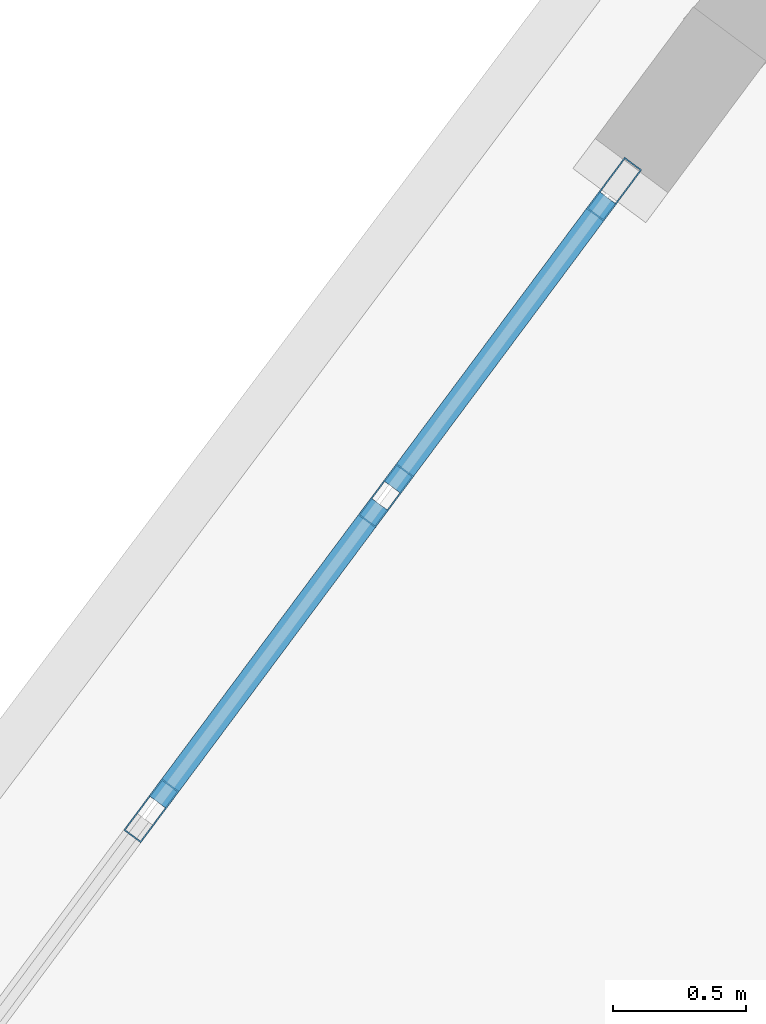
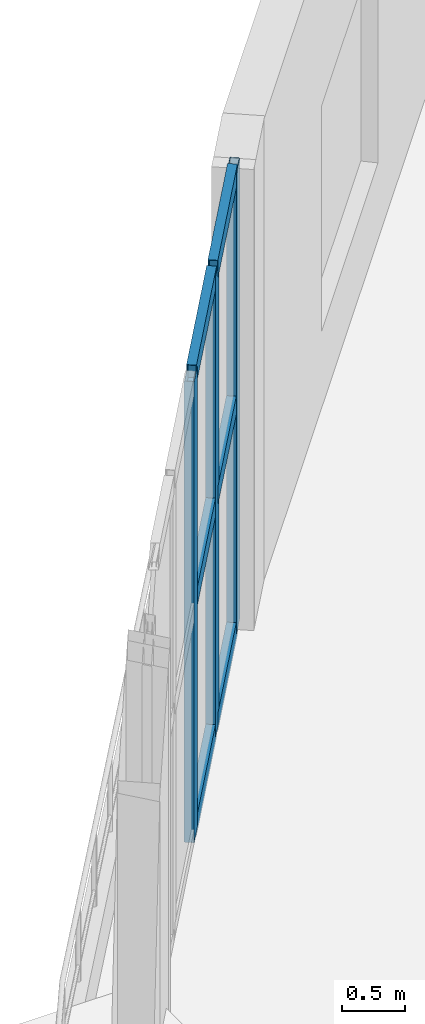
# One storey, part 12 of 25: 9 members, 1 element without a shape of its own.
"""IFC4 building model written with IfcOpenShell, lengths in metres."""

import ifcopenshell
import ifcopenshell.guid

model = None  # the IFC model being written
_history = None  # IfcOwnerHistory: only IFC2X3 demands one
_inside = {}  # id of a spatial element -> (the spatial element, [elements in it])
_under = {}  # id of a project, library or spatial element -> (it, [spatial elements below it])
_declared = {}  # id of a project -> (the project, [libraries it declares])
_typed = {}  # id of a type object -> (the type object, [elements of that type])
_made_of = {}  # id of a material, layer set ... -> (it, [elements and type objects made of it])


def new_model(schema):
    """Start an empty IFC model of exactly this schema.

    Asked for "IFC4X3", IfcOpenShell would pick the latest addendum, in which some entities
    have other attributes; the version numbers below select the first issue.
    IFC2X3 requires an IfcOwnerHistory on every rooted entity: one is made here for all.
    """
    global model, _history
    if schema == "IFC4X3":
        model = ifcopenshell.file(schema_version=(4, 3, 0, 0))
    else:
        model = ifcopenshell.file(schema=schema)
    _inside.clear()
    _under.clear()
    _declared.clear()
    _typed.clear()
    _made_of.clear()
    _history = None
    if model.schema == "IFC2X3":
        org = make("IfcOrganization", Name="unknown")
        user = make(
            "IfcPersonAndOrganization",
            ThePerson=make("IfcPerson", FamilyName="unknown"),
            TheOrganization=org,
        )
        app = make(
            "IfcApplication",
            ApplicationDeveloper=org,
            Version="unknown",
            ApplicationFullName="unknown",
            ApplicationIdentifier="unknown",
        )
        _history = make(
            "IfcOwnerHistory",
            OwningUser=user,
            OwningApplication=app,
            ChangeAction="ADDED",
            CreationDate=0,
        )
    return model


def make(cls, **values):
    """One entity of the class cls with the attributes given. An attribute that is None is left unset."""
    return model.create_entity(
        cls, **{name: value for name, value in values.items() if value is not None}
    )


def rooted(cls, **values):
    """An entity with a GlobalId (a new one), such as an element, a storey or a relation."""
    return make(cls, GlobalId=ifcopenshell.guid.new(), OwnerHistory=_history, **values)


def si_unit(unit_type, name, prefix=None):
    """IfcSIUnit, for example si_unit("LENGTHUNIT", "METRE", prefix="MILLI")."""
    return make("IfcSIUnit", UnitType=unit_type, Prefix=prefix, Name=name)


def assignment(units):
    """IfcUnitAssignment: the units of a project."""
    return None if units is None else make("IfcUnitAssignment", Units=units)


def point(xyz):
    """IfcCartesianPoint."""
    return None if xyz is None else make("IfcCartesianPoint", Coordinates=xyz)


def direction(xyz):
    """IfcDirection."""
    return None if xyz is None else make("IfcDirection", DirectionRatios=xyz)


def frame(location, z_axis=None, x_axis=None):
    """IfcAxis2Placement3D, a coordinate frame: its origin and axes. An axis left out is left unset."""
    return make(
        "IfcAxis2Placement3D",
        Location=point(location),
        Axis=direction(z_axis),
        RefDirection=direction(x_axis),
    )


def frame_2d(location, x_axis=None):
    """IfcAxis2Placement2D, a coordinate frame in the plane: its origin and x axis."""
    return make(
        "IfcAxis2Placement2D", Location=point(location), RefDirection=direction(x_axis)
    )


def origin():
    """The frame at (0, 0, 0) with its axes left unset."""
    return frame((0.0, 0.0, 0.0))


def origin_2d():
    """The frame at (0, 0) in the plane with its x axis left unset."""
    return frame_2d((0.0, 0.0))


def place(relative_to, where):
    """IfcLocalPlacement: puts the frame where relative to a parent placement (None: the world)."""
    return make(
        "IfcLocalPlacement", PlacementRelTo=relative_to, RelativePlacement=where
    )


def context(
    kind, dimensions, precision=None, world=None, true_north=None, identifier=None
):
    """IfcGeometricRepresentationContext, for example the 3D "Model" context."""
    return make(
        "IfcGeometricRepresentationContext",
        ContextIdentifier=identifier,
        ContextType=kind,
        CoordinateSpaceDimension=dimensions,
        Precision=precision,
        WorldCoordinateSystem=world,
        TrueNorth=true_north,
    )


def subcontext(parent, identifier, kind, view, scale=None):
    """IfcGeometricRepresentationSubContext, for example "Body" below "Model"."""
    return make(
        "IfcGeometricRepresentationSubContext",
        ContextIdentifier=identifier,
        ContextType=kind,
        ParentContext=parent,
        TargetScale=scale,
        TargetView=view,
    )


def project(units=None, contexts=None):
    """IfcProject with its units and contexts."""
    return rooted(
        "IfcProject",
        Name="project",
        RepresentationContexts=contexts,
        UnitsInContext=assignment(units),
    )


def spatial(cls, under=None, at=None, **own):
    """A site, building, storey or space (cls), placed at a placement, below another one or the project."""
    s = rooted(cls, ObjectPlacement=at, **own)
    if under is not None:
        _under.setdefault(under.id(), (under, []))[1].append(s)
    return s


def profile(cls, at=None, kind="AREA", **sizes):
    """A parametric profile (cls). Its sizes go by their IFC names, for example OverallWidth=200.0."""
    return make(cls, ProfileType=kind, Position=at, **sizes)


def hollow_rectangle(**sizes):
    """IfcRectangleHollowProfileDef."""
    return profile("IfcRectangleHollowProfileDef", **sizes)


def extrude(swept, where, along, depth):
    """IfcExtrudedAreaSolid: the profile swept, set in the frame where, extruded along a direction by depth."""
    return make(
        "IfcExtrudedAreaSolid",
        SweptArea=swept,
        Position=where,
        ExtrudedDirection=direction(along),
        Depth=depth,
    )


def shape(context_of_items, identifier, shape_type, items):
    """IfcShapeRepresentation: the items that make up one representation, for example the "Body"."""
    return make(
        "IfcShapeRepresentation",
        ContextOfItems=context_of_items,
        RepresentationIdentifier=identifier,
        RepresentationType=shape_type,
        Items=items,
    )


def material(Name=None, Category=None):
    """IfcMaterial."""
    return make("IfcMaterial", Name=Name, Category=Category)


def layer(
    of_material, thickness, ventilated=None, Name=None, Category=None, Priority=None
):
    """IfcMaterialLayer: one layer of a wall or slab, of a material (None: an air gap)."""
    return make(
        "IfcMaterialLayer",
        Material=of_material,
        LayerThickness=thickness,
        IsVentilated=ventilated,
        Name=Name,
        Category=Category,
        Priority=Priority,
    )


def layer_set(layers, Name=None):
    """IfcMaterialLayerSet."""
    return make("IfcMaterialLayerSet", MaterialLayers=layers, LayerSetName=Name)


def material_profile(
    of_material, cross_section, Name=None, Category=None, Priority=None
):
    """IfcMaterialProfile: a cross section and its material."""
    return make(
        "IfcMaterialProfile",
        Name=Name,
        Material=of_material,
        Profile=cross_section,
        Priority=Priority,
        Category=Category,
    )


def profile_set(profiles, Name=None, composite=None):
    """IfcMaterialProfileSet."""
    return make(
        "IfcMaterialProfileSet",
        Name=Name,
        MaterialProfiles=profiles,
        CompositeProfile=composite,
    )


def made_of(thing, what):
    """Note that an element or type object is made of a material, layer set ...; save() writes the relation."""
    if what is not None:
        _made_of.setdefault(what.id(), (what, []))[1].append(thing)
    return thing


def type_object(cls, material=None, **own):
    """A type object (cls), such as IfcWallType, which elements share."""
    return made_of(rooted(cls, **own), material)


def element(
    cls,
    number,
    at=None,
    inside=None,
    cuts=None,
    type_object=None,
    material=None,
    context=None,
    identifier="Body",
    shape_type=None,
    held_by="IfcProductDefinitionShape",
    body=None,
    shapes=None,
    **own,
):
    """One element of the class cls, such as IfcWall. Its Tag is "e" and its number.

    at: its placement. inside: the storey or other place that contains it. cuts: it is an
    opening in that element (IfcRelVoidsElement). A single representation is given by context,
    identifier, shape_type and body (its items); several are given by shapes. held_by: the class
    of the entity that holds the representations. save() writes the other relations.
    """
    e = rooted(cls, Tag="e%d" % number, ObjectPlacement=at, **own)
    if body is not None:
        shapes = [shape(context, identifier, shape_type, body)]
    if shapes is not None:
        e.Representation = make(held_by, Representations=shapes)
    if inside is not None:
        _inside.setdefault(inside.id(), (inside, []))[1].append(e)
    if cuts is not None:
        rooted(
            "IfcRelVoidsElement", RelatingBuildingElement=cuts, RelatedOpeningElement=e
        )
    if type_object is not None:
        _typed.setdefault(type_object.id(), (type_object, []))[1].append(e)
    return made_of(e, material)


def aggregate(whole, parts):
    """IfcRelAggregates: a whole, such as a stair, and the parts it consists of."""
    return rooted("IfcRelAggregates", RelatingObject=whole, RelatedObjects=parts)


def save(model, path):
    """Write the relations noted so far, then the file.

    IfcRelAggregates (storeys below a building ...), IfcRelContainedInSpatialStructure (elements
    in a storey), IfcRelDefinesByType, IfcRelAssociatesMaterial and IfcRelDeclares: one each for
    every whole, place, type object, material and project.
    """
    for whole, parts in _under.values():
        aggregate(whole, parts)
    for where, things in _inside.values():
        rooted(
            "IfcRelContainedInSpatialStructure",
            RelatedElements=things,
            RelatingStructure=where,
        )
    for kind, things in _typed.values():
        rooted("IfcRelDefinesByType", RelatedObjects=things, RelatingType=kind)
    for what, things in _made_of.values():
        rooted("IfcRelAssociatesMaterial", RelatedObjects=things, RelatingMaterial=what)
    for by, libraries in _declared.values():
        rooted("IfcRelDeclares", RelatingContext=by, RelatedDefinitions=libraries)
    model.write(path)


model = new_model("IFC4")

# Units and contexts
model_context = context("Model", 3, precision=1e-05, world=origin(), true_north=direction((0.0, 1.0)))
body_context = subcontext(model_context, "Body", "Model", "MODEL_VIEW")
ifc_project = project(units=[si_unit("LENGTHUNIT", "METRE"), si_unit("AREAUNIT", "SQUARE_METRE"), si_unit("VOLUMEUNIT", "CUBIC_METRE"), si_unit("PLANEANGLEUNIT", "RADIAN"), si_unit("MASSUNIT", "GRAM", prefix="KILO")], contexts=[model_context])

# Site, building, storey
site_placement = place(None, origin())
site = spatial("IfcSite", under=ifc_project, at=site_placement, CompositionType="ELEMENT")
building_placement = place(site_placement, origin())
building = spatial("IfcBuilding", under=site, at=building_placement, Name="Miruveldt Soraemaru", CompositionType="ELEMENT")
storey_placement = place(building_placement, frame((0.0, 0.0, 4.800048828125)))
storey = spatial("IfcBuildingStorey", under=building, at=storey_placement, Name="L02", CompositionType="ELEMENT", Elevation=4.800048828125)

# Curtain wall, members
ifc_material = material(Name="Anodised aluminium EN AW-6063 T6", Category="aluminium")
ifc_layer = layer(ifc_material, 0.239990234375, Name="Anodised aluminium EN AW-6063 T6", Category="aluminium")
ifc_layer_set = layer_set([ifc_layer], Name="Anodised aluminium EN AW-6063 T6")
curtain_wall_type = type_object("IfcCurtainWallType", Name="CW-SYS-1", PredefinedType="USERDEFINED", material=ifc_layer_set)
curtain_wall_placement = place(storey_placement, origin())
curtain_wall = element("IfcCurtainWall", 1, at=curtain_wall_placement, inside=storey, type_object=curtain_wall_type, Name="L02 Curtain Wall Bay 9", ObjectType="STOREFRONT", PredefinedType="USERDEFINED")
ifc_material_profile_1 = material_profile(ifc_material, hollow_rectangle(XDim=0.080078125, YDim=0.239990234375, WallThickness=0.0048828125, at=origin_2d()), Name="Anodised aluminium EN AW-6063 T6", Category="aluminium")
ifc_profile_set_1 = profile_set([ifc_material_profile_1], Name="Anodised aluminium EN AW-6063 T6")
member_type_1 = type_object("IfcMemberType", Name="CWM-1", PredefinedType="MULLION", material=ifc_profile_set_1)
member_1_placement = place(storey_placement, frame((28.56396484375, 65.31298828125, 0.0), z_axis=(0.0, 0.0, 1.0), x_axis=(0.802101472161, -0.597187766416, 0.0)))
member_1 = element("IfcMember", 2, at=member_1_placement, type_object=member_type_1, Name="CW-1 mullion 1", PredefinedType="MULLION", context=body_context, shape_type="SweptSolid", body=[
    extrude(hollow_rectangle(XDim=0.080078125, YDim=0.239990234375, WallThickness=0.0048828125, at=origin_2d()), origin(), (0.0, 0.0, 1.0), 4.5),
])
member_2_placement = place(storey_placement, frame((27.709228515625, 64.1650390625, 0.0), z_axis=(0.0, 0.0, 1.0), x_axis=(0.802101472161, -0.597187766416, 0.0)))
member_2 = element("IfcMember", 3, at=member_2_placement, type_object=member_type_1, Name="CW-1 mullion 2", PredefinedType="MULLION", context=body_context, shape_type="SweptSolid", body=[
    extrude(hollow_rectangle(XDim=0.080078125, YDim=0.239990234375, WallThickness=0.0048828125, at=origin_2d()), origin(), (0.0, 0.0, 1.0), 4.5),
])
member_3_placement = place(storey_placement, frame((26.83056640625, 62.98486328125, 0.0), z_axis=(0.0, 0.0, 1.0), x_axis=(0.802101472161, -0.597187766416, 0.0)))
member_3 = element("IfcMember", 4, at=member_3_placement, type_object=member_type_1, Name="CW-1 mullion 3", PredefinedType="MULLION", context=body_context, shape_type="SweptSolid", body=[
    extrude(hollow_rectangle(XDim=0.080078125, YDim=0.239990234375, WallThickness=0.0048828125, at=origin_2d()), origin(), (0.0, 0.0, 1.0), 4.5),
])
ifc_material_profile_2 = material_profile(ifc_material, hollow_rectangle(XDim=0.080078125, YDim=0.179931640625, WallThickness=0.00390625, at=origin_2d()), Name="Anodised aluminium EN AW-6063 T6", Category="aluminium")
ifc_profile_set_2 = profile_set([ifc_material_profile_2], Name="Anodised aluminium EN AW-6063 T6")
member_type_2 = type_object("IfcMemberType", Name="CWT-1", PredefinedType="USERDEFINED", material=ifc_profile_set_2)
member_4_placement = place(storey_placement, frame((28.5400390625, 65.281005859375, 0.0400390625), z_axis=(-0.597105406404, -0.802162785003, 0.0), x_axis=(0.802162785003, -0.597105406404, 0.0)))
member_4 = element("IfcMember", 5, at=member_4_placement, type_object=member_type_2, Name="CW-1 transom 1.1", ObjectType="TRANSOM", PredefinedType="USERDEFINED", context=body_context, shape_type="SweptSolid", body=[
    extrude(hollow_rectangle(XDim=0.080078125, YDim=0.179931640625, WallThickness=0.00390625, at=origin_2d()), origin(), (0.0, 0.0, 1.0), 1.351318359375),
])
member_5_placement = place(storey_placement, frame((28.5400390625, 65.281005859375, 2.25), z_axis=(-0.597105406404, -0.802162785003, 0.0), x_axis=(0.802162785003, -0.597105406404, 0.0)))
member_5 = element("IfcMember", 6, at=member_5_placement, type_object=member_type_2, Name="CW-1 transom 1.2", ObjectType="TRANSOM", PredefinedType="USERDEFINED", context=body_context, shape_type="SweptSolid", body=[
    extrude(hollow_rectangle(XDim=0.080078125, YDim=0.179931640625, WallThickness=0.00390625, at=origin_2d()), origin(), (0.0, 0.0, 1.0), 1.351318359375),
])
member_6_placement = place(storey_placement, frame((28.5400390625, 65.281005859375, 4.4599609375), z_axis=(-0.597105406404, -0.802162785003, 0.0), x_axis=(0.802162785003, -0.597105406404, 0.0)))
member_6 = element("IfcMember", 7, at=member_6_placement, type_object=member_type_2, Name="CW-1 transom 1.3", ObjectType="TRANSOM", PredefinedType="USERDEFINED", context=body_context, shape_type="SweptSolid", body=[
    extrude(hollow_rectangle(XDim=0.080078125, YDim=0.179931640625, WallThickness=0.00390625, at=origin_2d()), origin(), (0.0, 0.0, 1.0), 1.351318359375),
])
member_7_placement = place(storey_placement, frame((27.685302734375, 64.133056640625, 0.0400390625), z_axis=(-0.59716046409, -0.802121798811, 0.0), x_axis=(0.802121798811, -0.59716046409, 0.0)))
member_7 = element("IfcMember", 8, at=member_7_placement, type_object=member_type_2, Name="CW-1 transom 2.1", ObjectType="TRANSOM", PredefinedType="USERDEFINED", context=body_context, shape_type="SweptSolid", body=[
    extrude(hollow_rectangle(XDim=0.080078125, YDim=0.179931640625, WallThickness=0.00390625, at=origin_2d()), origin(), (0.0, 0.0, 1.0), 1.391357421875),
])
member_8_placement = place(storey_placement, frame((27.685302734375, 64.133056640625, 2.25), z_axis=(-0.59716046409, -0.802121798811, 0.0), x_axis=(0.802121798811, -0.59716046409, 0.0)))
member_8 = element("IfcMember", 9, at=member_8_placement, type_object=member_type_2, Name="CW-1 transom 2.2", ObjectType="TRANSOM", PredefinedType="USERDEFINED", context=body_context, shape_type="SweptSolid", body=[
    extrude(hollow_rectangle(XDim=0.080078125, YDim=0.179931640625, WallThickness=0.00390625, at=origin_2d()), origin(), (0.0, 0.0, 1.0), 1.391357421875),
])
member_9_placement = place(storey_placement, frame((27.685302734375, 64.133056640625, 4.4599609375), z_axis=(-0.59716046409, -0.802121798811, 0.0), x_axis=(0.802121798811, -0.59716046409, 0.0)))
member_9 = element("IfcMember", 10, at=member_9_placement, type_object=member_type_2, Name="CW-1 transom 2.3", ObjectType="TRANSOM", PredefinedType="USERDEFINED", context=body_context, shape_type="SweptSolid", body=[
    extrude(hollow_rectangle(XDim=0.080078125, YDim=0.179931640625, WallThickness=0.00390625, at=origin_2d()), origin(), (0.0, 0.0, 1.0), 1.391357421875),
])
aggregate(curtain_wall, [member_1, member_2, member_3, member_4, member_5, member_6, member_7, member_8, member_9])

save(model, "model.ifc")
